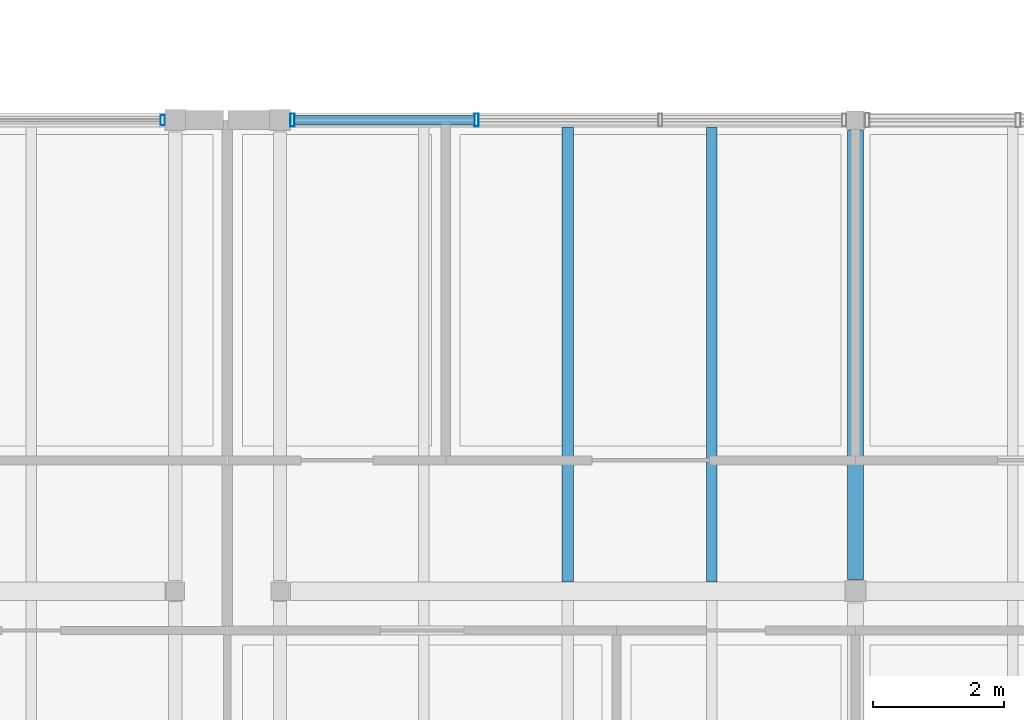
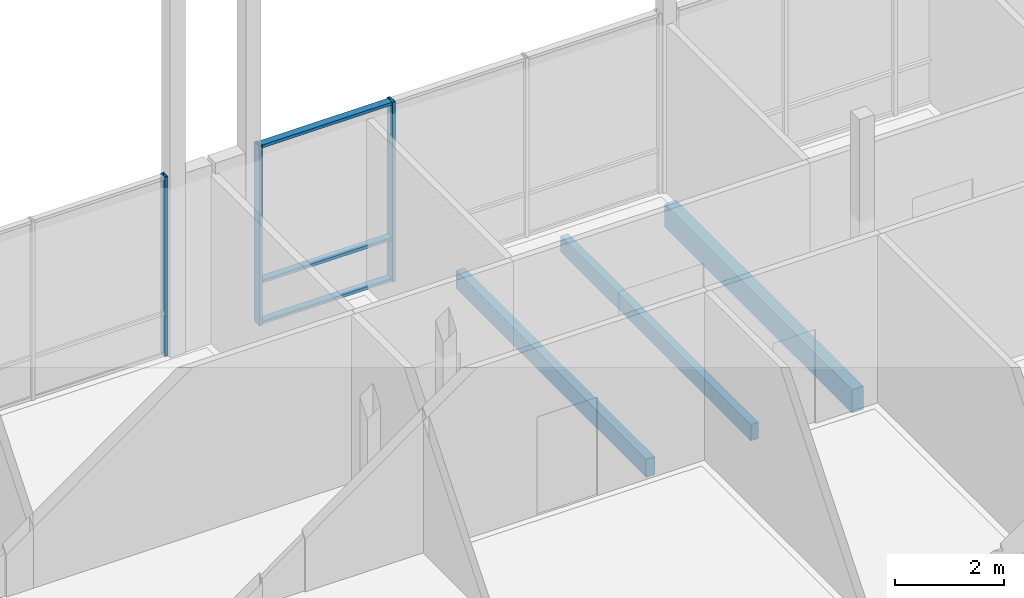
# One storey, part 20 of 57: 6 members, 3 beams, 2 elements without a shape of their own.
"""IFC4 building model written with IfcOpenShell, lengths in metres."""

from ifc_helpers import new_model, si_unit, direction, frame, origin, origin_2d, place, context, subcontext, project, spatial, rectangle, hollow_rectangle, extrude, material, material_profile, profile_set, type_object, element, aggregate, save


model = new_model("IFC4")

# Units and contexts
model_context = context("Model", 3, precision=1e-05, world=origin(), true_north=direction((0.0, 1.0)))
body_context = subcontext(model_context, "Body", "Model", "MODEL_VIEW")
ifc_project = project(units=[si_unit("LENGTHUNIT", "METRE"), si_unit("AREAUNIT", "SQUARE_METRE"), si_unit("VOLUMEUNIT", "CUBIC_METRE"), si_unit("PLANEANGLEUNIT", "RADIAN"), si_unit("MASSUNIT", "GRAM", prefix="KILO")], contexts=[model_context])

# Site, building, storey
site_placement = place(None, origin())
site = spatial("IfcSite", under=ifc_project, at=site_placement, CompositionType="ELEMENT")
building_placement = place(site_placement, origin())
building = spatial("IfcBuilding", under=site, at=building_placement, Name="Hawrajan Terrace Health Centre", CompositionType="ELEMENT")
storey_placement = place(building_placement, frame((0.0, 0.0, 13.199951171875)))
storey = spatial("IfcBuildingStorey", under=building, at=storey_placement, Name="L03", CompositionType="ELEMENT", Elevation=13.199951171875)

# Curtain wall, member
ifc_material_1 = material(Name="Anodized bronze aluminium and low-E solar glazing", Category="aluminium")
curtain_wall_type_1 = type_object("IfcCurtainWallType", Name="CW_Diagnostic_SeriesM2", PredefinedType="USERDEFINED", material=ifc_material_1)
curtain_wall_1_placement = place(storey_placement, origin())
curtain_wall_1 = element("IfcCurtainWall", 1, at=curtain_wall_1_placement, inside=storey, type_object=curtain_wall_type_1, Name="Curtain wall CW-L03-168", ObjectType="UNITISED CURTAIN WALL", PredefinedType="USERDEFINED")
ifc_material_2 = material(Name="Anodized bronze aluminium 6063-T6", Category="aluminium")
ifc_material_profile_1 = material_profile(ifc_material_2, hollow_rectangle(XDim=0.06494140625, YDim=0.159912109375, WallThickness=0.00390625, at=origin_2d()), Name="CW MUL 65x160")
ifc_profile_set_1 = profile_set([ifc_material_profile_1], Name="Anodized bronze aluminium 6063-T6")
member_type_1 = type_object("IfcMemberType", Name="CWMullion_65x160", PredefinedType="MULLION", material=ifc_profile_set_1)
member_1_placement = place(storey_placement, frame((70.8076171875, 18.60009765625, -0.0048828125), z_axis=(0.0, 0.0, 1.0), x_axis=(1.0, 0.0, 0.0)))
member_1 = element("IfcMember", 2, at=member_1_placement, type_object=member_type_1, Name="Mullion CW-L03-168-M4", PredefinedType="MULLION", context=body_context, shape_type="SweptSolid", body=[
    extrude(hollow_rectangle(XDim=0.06494140625, YDim=0.159912109375, WallThickness=0.00390625, at=origin_2d()), origin(), (0.0, 0.0, 1.0), 4.010009765625),
])
aggregate(curtain_wall_1, [member_1])

# Curtain wall, members
curtain_wall_type_2 = type_object("IfcCurtainWallType", Name="CW_Court_SeriesA1", PredefinedType="USERDEFINED", material=ifc_material_1)
curtain_wall_2_placement = place(storey_placement, origin())
curtain_wall_2 = element("IfcCurtainWall", 3, at=curtain_wall_2_placement, inside=storey, type_object=curtain_wall_type_2, Name="Curtain wall CW-L03-169", ObjectType="UNITISED CURTAIN WALL", PredefinedType="USERDEFINED")
ifc_material_profile_2 = material_profile(ifc_material_2, hollow_rectangle(XDim=0.06494140625, YDim=0.199951171875, WallThickness=0.00439453125, at=origin_2d()), Name="CW MUL 65x200")
ifc_profile_set_2 = profile_set([ifc_material_profile_2], Name="Anodized bronze aluminium 6063-T6")
member_type_2 = type_object("IfcMemberType", Name="CWMullion_65x200", PredefinedType="MULLION", material=ifc_profile_set_2)
member_2_placement = place(storey_placement, frame((72.79248046875, 18.60009765625, -0.0048828125), z_axis=(0.0, 0.0, 1.0), x_axis=(1.0, 0.0, 0.0)))
member_2 = element("IfcMember", 4, at=member_2_placement, type_object=member_type_2, Name="Mullion CW-L03-169-M1", PredefinedType="MULLION", context=body_context, shape_type="SweptSolid", body=[
    extrude(hollow_rectangle(XDim=0.06494140625, YDim=0.199951171875, WallThickness=0.00439453125, at=origin_2d()), origin(), (0.0, 0.0, 1.0), 4.010009765625),
])
member_3_placement = place(storey_placement, frame((75.604248046875, 18.60009765625, -0.0048828125), z_axis=(0.0, 0.0, 1.0), x_axis=(1.0, 0.0, 0.0)))
member_3 = element("IfcMember", 5, at=member_3_placement, type_object=member_type_2, Name="Mullion CW-L03-169-M2", PredefinedType="MULLION", context=body_context, shape_type="SweptSolid", body=[
    extrude(hollow_rectangle(XDim=0.06494140625, YDim=0.199951171875, WallThickness=0.00439453125, at=origin_2d()), origin(), (0.0, 0.0, 1.0), 4.010009765625),
])
ifc_material_profile_3 = material_profile(ifc_material_2, hollow_rectangle(XDim=0.06494140625, YDim=0.14990234375, WallThickness=0.00390625, at=origin_2d()), Name="CW TRN 65x150")
ifc_profile_set_3 = profile_set([ifc_material_profile_3], Name="Anodized bronze aluminium 6063-T6")
member_type_3 = type_object("IfcMemberType", Name="CWTransom_65x150", PredefinedType="USERDEFINED", material=ifc_profile_set_3)
member_4_placement = place(storey_placement, frame((72.819091796875, 18.60009765625, 0.032470703125), z_axis=(1.0, 0.0, 0.0), x_axis=(0.0, 0.0, 1.0)))
member_4 = element("IfcMember", 6, at=member_4_placement, type_object=member_type_3, Name="Transom CW-L03-169-T1-1", ObjectType="TRANSOM", PredefinedType="USERDEFINED", context=body_context, shape_type="SweptSolid", body=[
    extrude(hollow_rectangle(XDim=0.06494140625, YDim=0.14990234375, WallThickness=0.00390625, at=origin_2d()), origin(), (0.0, 0.0, 1.0), 2.758544921875),
])
member_5_placement = place(storey_placement, frame((72.819091796875, 18.60009765625, 0.949951171875), z_axis=(1.0, 0.0, 0.0), x_axis=(0.0, 0.0, 1.0)))
member_5 = element("IfcMember", 7, at=member_5_placement, type_object=member_type_3, Name="Transom CW-L03-169-T1-2", ObjectType="TRANSOM", PredefinedType="USERDEFINED", context=body_context, shape_type="SweptSolid", body=[
    extrude(hollow_rectangle(XDim=0.06494140625, YDim=0.14990234375, WallThickness=0.00390625, at=origin_2d()), origin(), (0.0, 0.0, 1.0), 2.758544921875),
])
member_6_placement = place(storey_placement, frame((72.819091796875, 18.60009765625, 3.967529296875), z_axis=(1.0, 0.0, 0.0), x_axis=(0.0, 0.0, 1.0)))
member_6 = element("IfcMember", 8, at=member_6_placement, type_object=member_type_3, Name="Transom CW-L03-169-T1-3", ObjectType="TRANSOM", PredefinedType="USERDEFINED", context=body_context, shape_type="SweptSolid", body=[
    extrude(hollow_rectangle(XDim=0.06494140625, YDim=0.14990234375, WallThickness=0.00390625, at=origin_2d()), origin(), (0.0, 0.0, 1.0), 2.758544921875),
])
aggregate(curtain_wall_2, [member_2, member_3, member_4, member_5, member_6])

# Beams
ifc_material_3 = material(Name="Glulam GL32h", Category="wood")
ifc_material_profile_4 = material_profile(ifc_material_3, rectangle(XDim=0.239990234375, YDim=0.52001953125, at=origin_2d()), Name="GL BM 240x520")
ifc_profile_set_4 = profile_set([ifc_material_profile_4], Name="Glulam GL32h")
beam_type_1 = type_object("IfcBeamType", Name="GlulamGirder_240x520", PredefinedType="BEAM", material=ifc_profile_set_4)
beam_1_placement = place(storey_placement, frame((81.39990234375, 11.580078125, -0.469970703125), z_axis=(0.0, 1.0, 0.0), x_axis=(-1.0, 0.0, 0.0)))
element("IfcBeam", 9, at=beam_1_placement, inside=storey, type_object=beam_type_1, Name="Beam BM-Y-L03-C-X11-2", PredefinedType="BEAM", context=body_context, shape_type="SweptSolid", body=[
    extrude(rectangle(XDim=0.239990234375, YDim=0.52001953125, at=origin_2d()), origin(), (0.0, 0.0, 1.0), 6.85986328125),
])
ifc_material_4 = material(Name="Glulam GL28h", Category="wood")
ifc_material_profile_5 = material_profile(ifc_material_4, rectangle(XDim=0.159912109375, YDim=0.360107421875, at=origin_2d()), Name="GL JST 160x360")
ifc_profile_set_5 = profile_set([ifc_material_profile_5], Name="Glulam GL28h")
beam_type_2 = type_object("IfcBeamType", Name="GlulamJoist_160x360", PredefinedType="JOIST", material=ifc_profile_set_5)
beam_2_placement = place(storey_placement, frame((79.199951171875, 11.5400390625, -0.389892578125), z_axis=(0.0, 1.0, 0.0), x_axis=(-1.0, 0.0, 0.0)))
element("IfcBeam", 10, at=beam_2_placement, inside=storey, type_object=beam_type_2, Name="Secondary joist JST-L03-C-10-2-3", PredefinedType="JOIST", context=body_context, shape_type="SweptSolid", body=[
    extrude(rectangle(XDim=0.159912109375, YDim=0.360107421875, at=origin_2d()), origin(), (0.0, 0.0, 1.0), 6.9599609375),
])
ifc_material_profile_6 = material_profile(ifc_material_4, rectangle(XDim=0.179931640625, YDim=0.39990234375, at=origin_2d()), Name="GL JST 180x400")
ifc_profile_set_6 = profile_set([ifc_material_profile_6], Name="Glulam GL28h")
beam_type_3 = type_object("IfcBeamType", Name="GlulamJoist_180x400", PredefinedType="JOIST", material=ifc_profile_set_6)
beam_3_placement = place(storey_placement, frame((77.0, 11.5400390625, -0.409912109375), z_axis=(0.0, 1.0, 0.0), x_axis=(-1.0, 0.0, 0.0)))
element("IfcBeam", 11, at=beam_3_placement, inside=storey, type_object=beam_type_3, Name="Secondary joist JST-L03-C-10-2-2", PredefinedType="JOIST", context=body_context, shape_type="SweptSolid", body=[
    extrude(rectangle(XDim=0.179931640625, YDim=0.39990234375, at=origin_2d()), origin(), (0.0, 0.0, 1.0), 6.9599609375),
])

save(model, "model.ifc")
